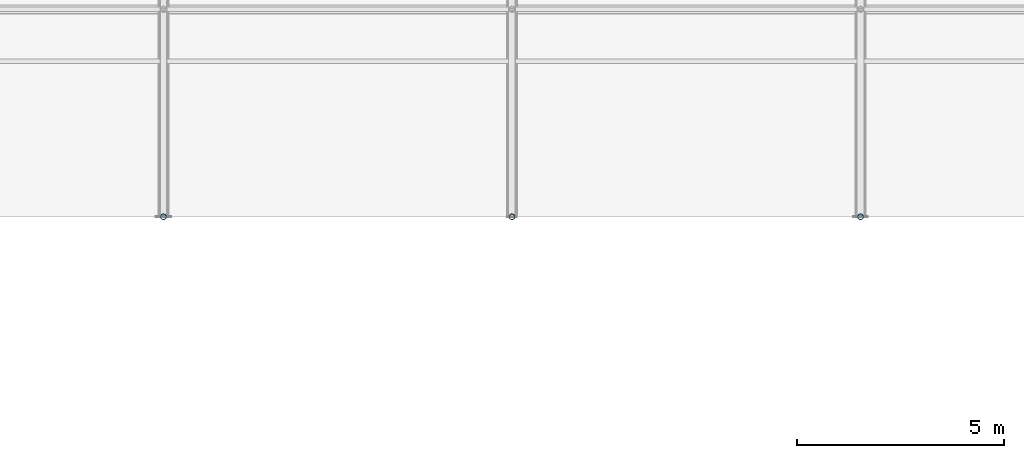
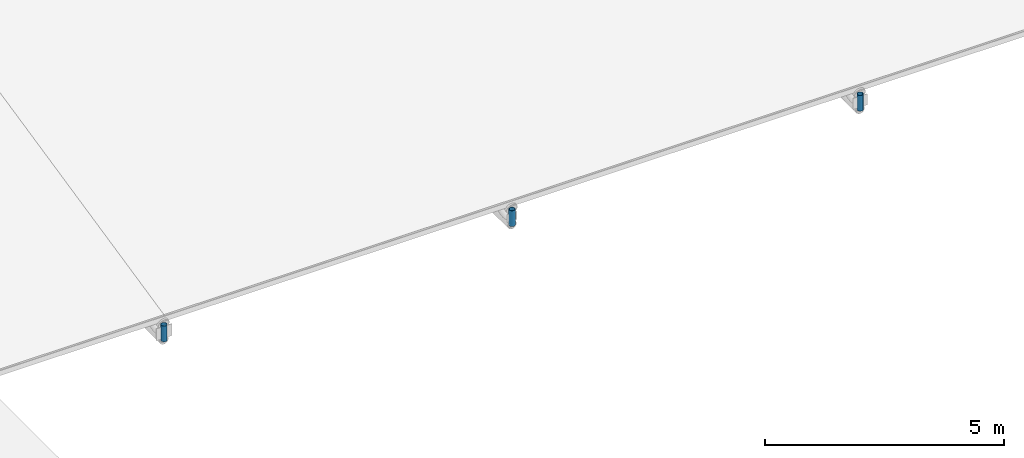
# One storey, part 132 of 194: 3 members.
"""IFC4 building model written with IfcOpenShell, lengths in metres."""

from ifc_helpers import new_model, si_unit, direction, frame, origin, origin_2d, place, context, subcontext, project, spatial, hollow_circle, extrude, material, material_profile, profile_set, type_object, element, save


model = new_model("IFC4")

# Units and contexts
model_context = context("Model", 3, precision=1e-05, world=origin(), true_north=direction((0.0, 1.0)))
body_context = subcontext(model_context, "Body", "Model", "MODEL_VIEW")
ifc_project = project(units=[si_unit("LENGTHUNIT", "METRE"), si_unit("AREAUNIT", "SQUARE_METRE"), si_unit("VOLUMEUNIT", "CUBIC_METRE"), si_unit("PLANEANGLEUNIT", "RADIAN"), si_unit("MASSUNIT", "GRAM", prefix="KILO")], contexts=[model_context])

# Site, building, storey
site_placement = place(None, origin())
site = spatial("IfcSite", under=ifc_project, at=site_placement, CompositionType="ELEMENT")
building_placement = place(site_placement, origin())
building = spatial("IfcBuilding", under=site, at=building_placement, Name="Kazenagashi Tramway Depot", CompositionType="ELEMENT")
storey_placement = place(building_placement, frame((0.0, 0.0, 23.7)))
storey = spatial("IfcBuildingStorey", under=building, at=storey_placement, Name="ROOF", CompositionType="ELEMENT", Elevation=23.7)

# Members
ifc_material = material(Name="Steel STK490", Category="steel")
ifc_material_profile = material_profile(ifc_material, hollow_circle(Radius=0.0699, WallThickness=0.0066, at=origin_2d()), Name="CHS-139.8x6.6")
ifc_profile_set = profile_set([ifc_material_profile], Name="Steel STK490")
member_type = type_object("IfcMemberType", Name="TS-02", PredefinedType="STRUT", material=ifc_profile_set)
for number, where, z_axis, x_axis, name in (
    (1, (95.2, 70.0, -14.1), (0.0, 0.0, 1.0), (1.0, 0.0, 0.0), "Tubular Space Frame TS-02 MEM-0385"),
    (2, (103.6, 70.0, -14.1), (0.0, 0.0, 1.0), (1.0, 0.0, 0.0), "Tubular Space Frame TS-02 MEM-0446"),
    (3, (112.0, 70.0, -14.1), (0.0, 0.0, 1.0), (1.0, 0.0, 0.0), "Tubular Space Frame TS-02 MEM-0507"),
):
    element("IfcMember", number, at=place(storey_placement, frame(where, z_axis=z_axis, x_axis=x_axis)), inside=storey, type_object=member_type, Name=name, PredefinedType="STRUT", context=body_context, shape_type="SweptSolid", body=[
        extrude(hollow_circle(Radius=0.0699, WallThickness=0.0066, at=origin_2d()), origin(), (0.0, 0.0, 1.0), 0.4),
    ])

save(model, "model.ifc")
